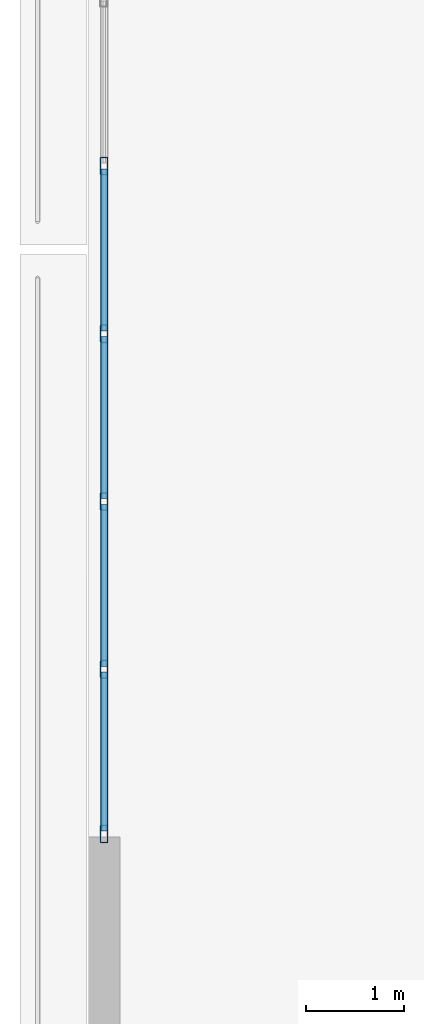
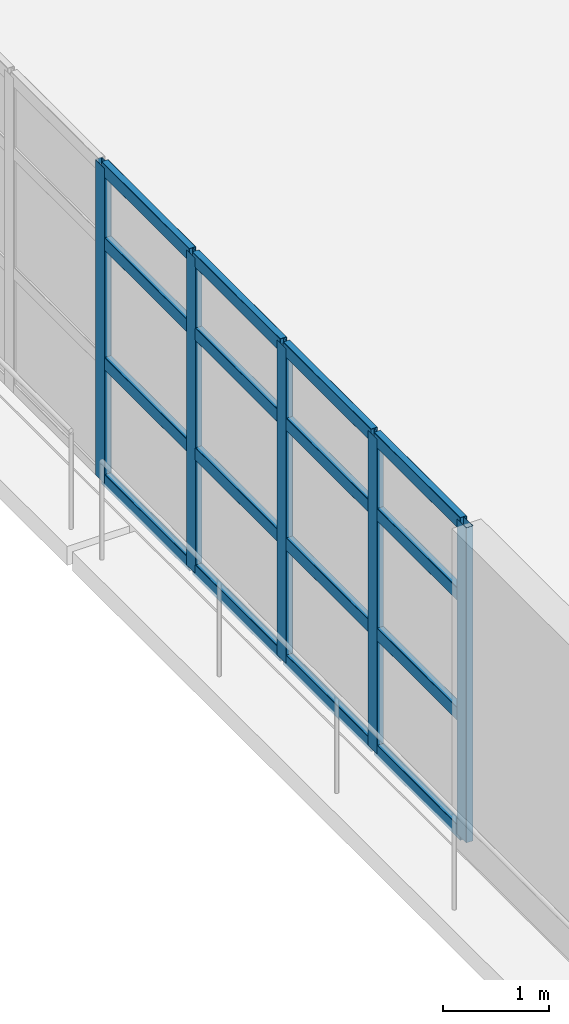
# One storey, part 4 of 23: 21 members, 1 element without a shape of its own.
"""IFC4 building model written with IfcOpenShell, lengths in metres."""

from ifc_helpers import new_model, si_unit, direction, frame, origin, origin_2d, place, context, subcontext, project, spatial, hollow_rectangle, extrude, material, layer, layer_set, material_profile, profile_set, type_object, element, aggregate, save


model = new_model("IFC4")

# Units and contexts
model_context = context("Model", 3, precision=1e-05, world=origin(), true_north=direction((0.0, 1.0)))
body_context = subcontext(model_context, "Body", "Model", "MODEL_VIEW")
ifc_project = project(units=[si_unit("LENGTHUNIT", "METRE"), si_unit("AREAUNIT", "SQUARE_METRE"), si_unit("VOLUMEUNIT", "CUBIC_METRE"), si_unit("PLANEANGLEUNIT", "RADIAN"), si_unit("MASSUNIT", "GRAM", prefix="KILO")], contexts=[model_context])

# Site, building, storey
site_placement = place(None, origin())
site = spatial("IfcSite", under=ifc_project, at=site_placement, CompositionType="ELEMENT")
building_placement = place(site_placement, origin())
building = spatial("IfcBuilding", under=site, at=building_placement, Name="Qingluan Cross Belvedere", CompositionType="ELEMENT")
storey_placement = place(building_placement, frame((0.0, 0.0, 5.39990234375)))
storey = spatial("IfcBuildingStorey", under=building, at=storey_placement, Name="L02", CompositionType="ELEMENT", Elevation=5.39990234375)

# Curtain wall, members
ifc_material_1 = material(Name="Thermally broken aluminium and Low-E glass", Category="aluminium")
ifc_layer = layer(ifc_material_1, 0.199951171875, Name="UnitisedCW_PodiumArrival")
ifc_layer_set = layer_set([ifc_layer], Name="Thermally broken aluminium and Low-E glass")
curtain_wall_type = type_object("IfcCurtainWallType", Name="UnitisedCW_PodiumArrival", PredefinedType="USERDEFINED", material=ifc_layer_set)
curtain_wall_placement = place(storey_placement, origin())
curtain_wall = element("IfcCurtainWall", 1, at=curtain_wall_placement, inside=storey, type_object=curtain_wall_type, Name="UnitisedCW_PodiumArrival run env:cw:L02:W", ObjectType="UNITISED CURTAIN WALL", PredefinedType="USERDEFINED")
ifc_material_2 = material(Name="Aluminium alloy 6063-T6", Category="aluminium")
ifc_material_profile_1 = material_profile(ifc_material_2, hollow_rectangle(XDim=0.074951171875, YDim=0.179931640625, WallThickness=0.00390625, InnerFilletRadius=0.00390625, OuterFilletRadius=0.008056640625, at=origin_2d()), Name="CWM180x75x4")
ifc_profile_set_1 = profile_set([ifc_material_profile_1], Name="Aluminium alloy 6063-T6")
member_type_1 = type_object("IfcMemberType", Name="CWMullion_180", PredefinedType="MULLION", material=ifc_profile_set_1)
member_1_placement = place(storey_placement, frame((-38.340087890625, -5.969970703125, 0.0), z_axis=(0.0, 0.0, 1.0), x_axis=(-1.0, 0.0, 0.0)))
member_1 = element("IfcMember", 2, at=member_1_placement, type_object=member_type_1, Name="CW-P1 mullion 1", PredefinedType="MULLION", context=body_context, shape_type="SweptSolid", body=[
    extrude(hollow_rectangle(XDim=0.074951171875, YDim=0.179931640625, WallThickness=0.00390625, InnerFilletRadius=0.00390625, OuterFilletRadius=0.008056640625, at=origin_2d()), origin(), (0.0, 0.0, 1.0), 3.630126953125),
])
member_2_placement = place(storey_placement, frame((-38.340087890625, -4.28564453125, 0.0), z_axis=(0.0, 0.0, 1.0), x_axis=(-1.0, 0.0, 0.0)))
member_2 = element("IfcMember", 3, at=member_2_placement, type_object=member_type_1, Name="CW-P1 mullion 2", PredefinedType="MULLION", context=body_context, shape_type="SweptSolid", body=[
    extrude(hollow_rectangle(XDim=0.074951171875, YDim=0.179931640625, WallThickness=0.00390625, InnerFilletRadius=0.00390625, OuterFilletRadius=0.008056640625, at=origin_2d()), origin(), (0.0, 0.0, 1.0), 3.630126953125),
])
member_3_placement = place(storey_placement, frame((-38.340087890625, -2.571533203125, 0.0), z_axis=(0.0, 0.0, 1.0), x_axis=(-1.0, 0.0, 0.0)))
member_3 = element("IfcMember", 4, at=member_3_placement, type_object=member_type_1, Name="CW-P1 mullion 3", PredefinedType="MULLION", context=body_context, shape_type="SweptSolid", body=[
    extrude(hollow_rectangle(XDim=0.074951171875, YDim=0.179931640625, WallThickness=0.00390625, InnerFilletRadius=0.00390625, OuterFilletRadius=0.008056640625, at=origin_2d()), origin(), (0.0, 0.0, 1.0), 3.630126953125),
])
member_4_placement = place(storey_placement, frame((-38.340087890625, -0.857177734375, 0.0), z_axis=(0.0, 0.0, 1.0), x_axis=(-1.0, 0.0, 0.0)))
member_4 = element("IfcMember", 5, at=member_4_placement, type_object=member_type_1, Name="CW-P1 mullion 4", PredefinedType="MULLION", context=body_context, shape_type="SweptSolid", body=[
    extrude(hollow_rectangle(XDim=0.074951171875, YDim=0.179931640625, WallThickness=0.00390625, InnerFilletRadius=0.00390625, OuterFilletRadius=0.008056640625, at=origin_2d()), origin(), (0.0, 0.0, 1.0), 3.630126953125),
])
member_5_placement = place(storey_placement, frame((-38.340087890625, 0.857177734375, 0.0), z_axis=(0.0, 0.0, 1.0), x_axis=(-1.0, 0.0, 0.0)))
member_5 = element("IfcMember", 6, at=member_5_placement, type_object=member_type_1, Name="CW-P1 mullion 5", PredefinedType="MULLION", context=body_context, shape_type="SweptSolid", body=[
    extrude(hollow_rectangle(XDim=0.074951171875, YDim=0.179931640625, WallThickness=0.00390625, InnerFilletRadius=0.00390625, OuterFilletRadius=0.008056640625, at=origin_2d()), origin(), (0.0, 0.0, 1.0), 3.630126953125),
])
ifc_material_3 = material(Name="Aluminium alloy 6063-T6", Category="aluminium")
ifc_material_profile_2 = material_profile(ifc_material_3, hollow_rectangle(XDim=0.074951171875, YDim=0.14990234375, WallThickness=0.00390625, InnerFilletRadius=0.00390625, OuterFilletRadius=0.008056640625, at=origin_2d()), Name="CWT150x75x4")
ifc_profile_set_2 = profile_set([ifc_material_profile_2], Name="Aluminium alloy 6063-T6")
member_type_2 = type_object("IfcMemberType", Name="CWTransom_150", PredefinedType="USERDEFINED", material=ifc_profile_set_2)
member_6_placement = place(storey_placement, frame((-38.340087890625, -5.93994140625, 0.030029296875), z_axis=(0.0, 1.0, 0.0), x_axis=(-1.0, 0.0, 0.0)))
member_6 = element("IfcMember", 7, at=member_6_placement, type_object=member_type_2, Name="CW-P1 transom 1.1", ObjectType="TRANSOM", PredefinedType="USERDEFINED", context=body_context, shape_type="SweptSolid", body=[
    extrude(hollow_rectangle(XDim=0.074951171875, YDim=0.14990234375, WallThickness=0.00390625, InnerFilletRadius=0.00390625, OuterFilletRadius=0.008056640625, at=origin_2d()), origin(), (0.0, 0.0, 1.0), 1.624267578125),
])
member_7_placement = place(storey_placement, frame((-38.340087890625, -5.93994140625, 1.379150390625), z_axis=(0.0, 1.0, 0.0), x_axis=(-1.0, 0.0, 0.0)))
member_7 = element("IfcMember", 8, at=member_7_placement, type_object=member_type_2, Name="CW-P1 transom 1.2", ObjectType="TRANSOM", PredefinedType="USERDEFINED", context=body_context, shape_type="SweptSolid", body=[
    extrude(hollow_rectangle(XDim=0.074951171875, YDim=0.14990234375, WallThickness=0.00390625, InnerFilletRadius=0.00390625, OuterFilletRadius=0.008056640625, at=origin_2d()), origin(), (0.0, 0.0, 1.0), 1.624267578125),
])
member_8_placement = place(storey_placement, frame((-38.340087890625, -5.93994140625, 2.759033203125), z_axis=(0.0, 1.0, 0.0), x_axis=(-1.0, 0.0, 0.0)))
member_8 = element("IfcMember", 9, at=member_8_placement, type_object=member_type_2, Name="CW-P1 transom 1.3", ObjectType="TRANSOM", PredefinedType="USERDEFINED", context=body_context, shape_type="SweptSolid", body=[
    extrude(hollow_rectangle(XDim=0.074951171875, YDim=0.14990234375, WallThickness=0.00390625, InnerFilletRadius=0.00390625, OuterFilletRadius=0.008056640625, at=origin_2d()), origin(), (0.0, 0.0, 1.0), 1.624267578125),
])
member_9_placement = place(storey_placement, frame((-38.340087890625, -5.93994140625, 3.60009765625), z_axis=(0.0, 1.0, 0.0), x_axis=(-1.0, 0.0, 0.0)))
member_9 = element("IfcMember", 10, at=member_9_placement, type_object=member_type_2, Name="CW-P1 transom 1.4", ObjectType="TRANSOM", PredefinedType="USERDEFINED", context=body_context, shape_type="SweptSolid", body=[
    extrude(hollow_rectangle(XDim=0.074951171875, YDim=0.14990234375, WallThickness=0.00390625, InnerFilletRadius=0.00390625, OuterFilletRadius=0.008056640625, at=origin_2d()), origin(), (0.0, 0.0, 1.0), 1.624267578125),
])
member_10_placement = place(storey_placement, frame((-38.340087890625, -4.255615234375, 0.030029296875), z_axis=(0.0, 1.0, 0.0), x_axis=(-1.0, 0.0, 0.0)))
member_10 = element("IfcMember", 11, at=member_10_placement, type_object=member_type_2, Name="CW-P1 transom 2.1", ObjectType="TRANSOM", PredefinedType="USERDEFINED", context=body_context, shape_type="SweptSolid", body=[
    extrude(hollow_rectangle(XDim=0.074951171875, YDim=0.14990234375, WallThickness=0.00390625, InnerFilletRadius=0.00390625, OuterFilletRadius=0.008056640625, at=origin_2d()), origin(), (0.0, 0.0, 1.0), 1.654296875),
])
member_11_placement = place(storey_placement, frame((-38.340087890625, -4.255615234375, 1.379150390625), z_axis=(0.0, 1.0, 0.0), x_axis=(-1.0, 0.0, 0.0)))
member_11 = element("IfcMember", 12, at=member_11_placement, type_object=member_type_2, Name="CW-P1 transom 2.2", ObjectType="TRANSOM", PredefinedType="USERDEFINED", context=body_context, shape_type="SweptSolid", body=[
    extrude(hollow_rectangle(XDim=0.074951171875, YDim=0.14990234375, WallThickness=0.00390625, InnerFilletRadius=0.00390625, OuterFilletRadius=0.008056640625, at=origin_2d()), origin(), (0.0, 0.0, 1.0), 1.654296875),
])
member_12_placement = place(storey_placement, frame((-38.340087890625, -4.255615234375, 2.759033203125), z_axis=(0.0, 1.0, 0.0), x_axis=(-1.0, 0.0, 0.0)))
member_12 = element("IfcMember", 13, at=member_12_placement, type_object=member_type_2, Name="CW-P1 transom 2.3", ObjectType="TRANSOM", PredefinedType="USERDEFINED", context=body_context, shape_type="SweptSolid", body=[
    extrude(hollow_rectangle(XDim=0.074951171875, YDim=0.14990234375, WallThickness=0.00390625, InnerFilletRadius=0.00390625, OuterFilletRadius=0.008056640625, at=origin_2d()), origin(), (0.0, 0.0, 1.0), 1.654296875),
])
member_13_placement = place(storey_placement, frame((-38.340087890625, -4.255615234375, 3.60009765625), z_axis=(0.0, 1.0, 0.0), x_axis=(-1.0, 0.0, 0.0)))
member_13 = element("IfcMember", 14, at=member_13_placement, type_object=member_type_2, Name="CW-P1 transom 2.4", ObjectType="TRANSOM", PredefinedType="USERDEFINED", context=body_context, shape_type="SweptSolid", body=[
    extrude(hollow_rectangle(XDim=0.074951171875, YDim=0.14990234375, WallThickness=0.00390625, InnerFilletRadius=0.00390625, OuterFilletRadius=0.008056640625, at=origin_2d()), origin(), (0.0, 0.0, 1.0), 1.654296875),
])
member_14_placement = place(storey_placement, frame((-38.340087890625, -2.54150390625, 0.030029296875), z_axis=(0.0, 1.0, 0.0), x_axis=(-1.0, 0.0, 0.0)))
member_14 = element("IfcMember", 15, at=member_14_placement, type_object=member_type_2, Name="CW-P1 transom 3.1", ObjectType="TRANSOM", PredefinedType="USERDEFINED", context=body_context, shape_type="SweptSolid", body=[
    extrude(hollow_rectangle(XDim=0.074951171875, YDim=0.14990234375, WallThickness=0.00390625, InnerFilletRadius=0.00390625, OuterFilletRadius=0.008056640625, at=origin_2d()), origin(), (0.0, 0.0, 1.0), 1.654296875),
])
member_15_placement = place(storey_placement, frame((-38.340087890625, -2.54150390625, 1.379150390625), z_axis=(0.0, 1.0, 0.0), x_axis=(-1.0, 0.0, 0.0)))
member_15 = element("IfcMember", 16, at=member_15_placement, type_object=member_type_2, Name="CW-P1 transom 3.2", ObjectType="TRANSOM", PredefinedType="USERDEFINED", context=body_context, shape_type="SweptSolid", body=[
    extrude(hollow_rectangle(XDim=0.074951171875, YDim=0.14990234375, WallThickness=0.00390625, InnerFilletRadius=0.00390625, OuterFilletRadius=0.008056640625, at=origin_2d()), origin(), (0.0, 0.0, 1.0), 1.654296875),
])
member_16_placement = place(storey_placement, frame((-38.340087890625, -2.54150390625, 2.759033203125), z_axis=(0.0, 1.0, 0.0), x_axis=(-1.0, 0.0, 0.0)))
member_16 = element("IfcMember", 17, at=member_16_placement, type_object=member_type_2, Name="CW-P1 transom 3.3", ObjectType="TRANSOM", PredefinedType="USERDEFINED", context=body_context, shape_type="SweptSolid", body=[
    extrude(hollow_rectangle(XDim=0.074951171875, YDim=0.14990234375, WallThickness=0.00390625, InnerFilletRadius=0.00390625, OuterFilletRadius=0.008056640625, at=origin_2d()), origin(), (0.0, 0.0, 1.0), 1.654296875),
])
member_17_placement = place(storey_placement, frame((-38.340087890625, -2.54150390625, 3.60009765625), z_axis=(0.0, 1.0, 0.0), x_axis=(-1.0, 0.0, 0.0)))
member_17 = element("IfcMember", 18, at=member_17_placement, type_object=member_type_2, Name="CW-P1 transom 3.4", ObjectType="TRANSOM", PredefinedType="USERDEFINED", context=body_context, shape_type="SweptSolid", body=[
    extrude(hollow_rectangle(XDim=0.074951171875, YDim=0.14990234375, WallThickness=0.00390625, InnerFilletRadius=0.00390625, OuterFilletRadius=0.008056640625, at=origin_2d()), origin(), (0.0, 0.0, 1.0), 1.654296875),
])
member_18_placement = place(storey_placement, frame((-38.340087890625, -0.8271484375, 0.030029296875), z_axis=(0.0, 1.0, 0.0), x_axis=(-1.0, 0.0, 0.0)))
member_18 = element("IfcMember", 19, at=member_18_placement, type_object=member_type_2, Name="CW-P1 transom 4.1", ObjectType="TRANSOM", PredefinedType="USERDEFINED", context=body_context, shape_type="SweptSolid", body=[
    extrude(hollow_rectangle(XDim=0.074951171875, YDim=0.14990234375, WallThickness=0.00390625, InnerFilletRadius=0.00390625, OuterFilletRadius=0.008056640625, at=origin_2d()), origin(), (0.0, 0.0, 1.0), 1.654296875),
])
member_19_placement = place(storey_placement, frame((-38.340087890625, -0.8271484375, 1.379150390625), z_axis=(0.0, 1.0, 0.0), x_axis=(-1.0, 0.0, 0.0)))
member_19 = element("IfcMember", 20, at=member_19_placement, type_object=member_type_2, Name="CW-P1 transom 4.2", ObjectType="TRANSOM", PredefinedType="USERDEFINED", context=body_context, shape_type="SweptSolid", body=[
    extrude(hollow_rectangle(XDim=0.074951171875, YDim=0.14990234375, WallThickness=0.00390625, InnerFilletRadius=0.00390625, OuterFilletRadius=0.008056640625, at=origin_2d()), origin(), (0.0, 0.0, 1.0), 1.654296875),
])
member_20_placement = place(storey_placement, frame((-38.340087890625, -0.8271484375, 2.759033203125), z_axis=(0.0, 1.0, 0.0), x_axis=(-1.0, 0.0, 0.0)))
member_20 = element("IfcMember", 21, at=member_20_placement, type_object=member_type_2, Name="CW-P1 transom 4.3", ObjectType="TRANSOM", PredefinedType="USERDEFINED", context=body_context, shape_type="SweptSolid", body=[
    extrude(hollow_rectangle(XDim=0.074951171875, YDim=0.14990234375, WallThickness=0.00390625, InnerFilletRadius=0.00390625, OuterFilletRadius=0.008056640625, at=origin_2d()), origin(), (0.0, 0.0, 1.0), 1.654296875),
])
member_21_placement = place(storey_placement, frame((-38.340087890625, -0.8271484375, 3.60009765625), z_axis=(0.0, 1.0, 0.0), x_axis=(-1.0, 0.0, 0.0)))
member_21 = element("IfcMember", 22, at=member_21_placement, type_object=member_type_2, Name="CW-P1 transom 4.4", ObjectType="TRANSOM", PredefinedType="USERDEFINED", context=body_context, shape_type="SweptSolid", body=[
    extrude(hollow_rectangle(XDim=0.074951171875, YDim=0.14990234375, WallThickness=0.00390625, InnerFilletRadius=0.00390625, OuterFilletRadius=0.008056640625, at=origin_2d()), origin(), (0.0, 0.0, 1.0), 1.654296875),
])
aggregate(curtain_wall, [member_1, member_2, member_3, member_4, member_5, member_6, member_7, member_8, member_9, member_10, member_11, member_12, member_13, member_14, member_15, member_16, member_17, member_18, member_19, member_20, member_21])

save(model, "model.ifc")
